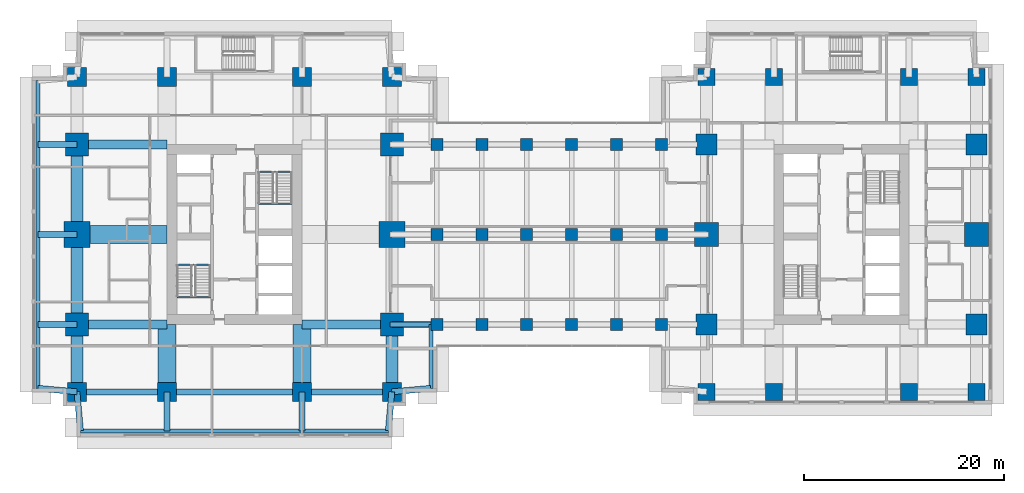
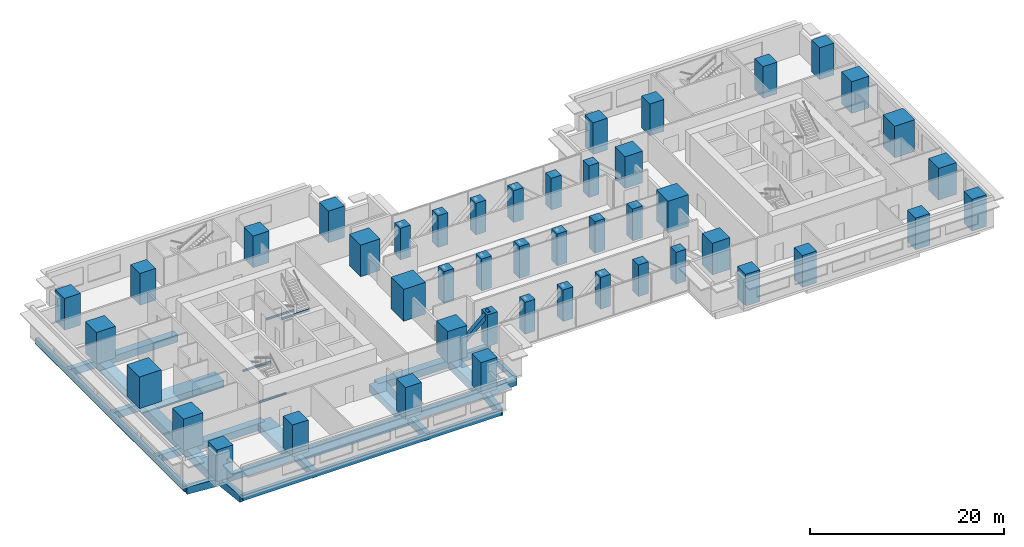
# One storey, part 1 of 16: 46 columns, 30 beams, 1 member.
"""IFC4 building model written with IfcOpenShell, lengths in metres."""

from ifc_helpers import new_model, si_unit, direction, frame, origin, origin_2d, place, context, subcontext, project, spatial, rectangle, hollow_rectangle, i_section, extrude, material, material_profile, profile_set, type_object, element, save


model = new_model("IFC4")

# Units and contexts
model_context = context("Model", 3, precision=1e-05, world=origin(), true_north=direction((0.0, 1.0)))
body_context = subcontext(model_context, "Body", "Model", "MODEL_VIEW")
ifc_project = project(units=[si_unit("LENGTHUNIT", "METRE"), si_unit("AREAUNIT", "SQUARE_METRE"), si_unit("VOLUMEUNIT", "CUBIC_METRE"), si_unit("PLANEANGLEUNIT", "RADIAN"), si_unit("MASSUNIT", "GRAM", prefix="KILO")], contexts=[model_context])

# Site, building, storey
site_placement = place(None, origin())
site = spatial("IfcSite", under=ifc_project, at=site_placement, CompositionType="ELEMENT")
building_placement = place(site_placement, origin())
building = spatial("IfcBuilding", under=site, at=building_placement, Name="Namib Vertical Campus", CompositionType="ELEMENT")
storey_placement = place(building_placement, frame((0.0, 0.0, 125.0)))
storey = spatial("IfcBuildingStorey", under=building, at=storey_placement, Name="L29", CompositionType="ELEMENT", Elevation=125.0)

# Columns
ifc_material_1 = material(Name="Concrete C60/75", Category="concrete")
ifc_material_profile_1 = material_profile(ifc_material_1, rectangle(XDim=1.199951171875, YDim=1.199951171875, at=origin_2d()))
ifc_profile_set_1 = profile_set([ifc_material_profile_1], Name="Concrete C60/75")
column_type_1 = type_object("IfcColumnType", Name="Bridge column RC 1200x1200", PredefinedType="COLUMN", material=ifc_profile_set_1)
for number, where, z_axis, x_axis, name in (
    (1, (40.5, 11.25, 0.0), (0.0, 0.0, 1.0), (1.0, 0.0, 0.0), "Column BC6 L29"),
    (2, (45.0, 11.25, 0.0), (0.0, 0.0, 1.0), (1.0, 0.0, 0.0), "Column BC6 L29"),
    (3, (49.5, 11.25, 0.0), (0.0, 0.0, 1.0), (1.0, 0.0, 0.0), "Column BC6 L29"),
    (4, (54.0, 11.25, 0.0), (0.0, 0.0, 1.0), (1.0, 0.0, 0.0), "Column BC6 L29"),
    (5, (58.5, 11.25, 0.0), (0.0, 0.0, 1.0), (1.0, 0.0, 0.0), "Column BC6 L29"),
    (6, (63.0, 11.25, 0.0), (0.0, 0.0, 1.0), (1.0, 0.0, 0.0), "Column BC6 L29"),
    (7, (40.5, 20.25, 0.0), (0.0, 0.0, 1.0), (1.0, 0.0, 0.0), "Column BC6 L29"),
    (8, (45.0, 20.25, 0.0), (0.0, 0.0, 1.0), (1.0, 0.0, 0.0), "Column BC6 L29"),
    (9, (49.5, 20.25, 0.0), (0.0, 0.0, 1.0), (1.0, 0.0, 0.0), "Column BC6 L29"),
    (10, (54.0, 20.25, 0.0), (0.0, 0.0, 1.0), (1.0, 0.0, 0.0), "Column BC6 L29"),
    (11, (58.5, 20.25, 0.0), (0.0, 0.0, 1.0), (1.0, 0.0, 0.0), "Column BC6 L29"),
    (12, (63.0, 20.25, 0.0), (0.0, 0.0, 1.0), (1.0, 0.0, 0.0), "Column BC6 L29"),
    (13, (40.5, 29.25, 0.0), (0.0, 0.0, 1.0), (1.0, 0.0, 0.0), "Column BC6 L29"),
    (14, (45.0, 29.25, 0.0), (0.0, 0.0, 1.0), (1.0, 0.0, 0.0), "Column BC6 L29"),
    (15, (49.5, 29.25, 0.0), (0.0, 0.0, 1.0), (1.0, 0.0, 0.0), "Column BC6 L29"),
    (16, (54.0, 29.25, 0.0), (0.0, 0.0, 1.0), (1.0, 0.0, 0.0), "Column BC6 L29"),
    (17, (58.5, 29.25, 0.0), (0.0, 0.0, 1.0), (1.0, 0.0, 0.0), "Column BC6 L29"),
    (18, (63.0, 29.25, 0.0), (0.0, 0.0, 1.0), (1.0, 0.0, 0.0), "Column BC6 L29"),
):
    element("IfcColumn", number, at=place(storey_placement, frame(where, z_axis=z_axis, x_axis=x_axis)), inside=storey, type_object=column_type_1, Name=name, PredefinedType="COLUMN", context=body_context, shape_type="SweptSolid", body=[
        extrude(rectangle(XDim=1.199951171875, YDim=1.199951171875, at=origin_2d()), origin(), (0.0, 0.0, 1.0), 4.0),
    ])
ifc_material_2 = material(Name="Concrete C60/75", Category="concrete")
ifc_material_profile_2 = material_profile(ifc_material_2, rectangle(XDim=1.699951171875, YDim=1.699951171875, at=origin_2d()))
ifc_profile_set_2 = profile_set([ifc_material_profile_2], Name="Concrete C60/75")
column_type_2 = type_object("IfcColumnType", Name="Column RC 1700x1700", PredefinedType="COLUMN", material=ifc_profile_set_2)
for number, where, z_axis, x_axis, name in (
    (19, (67.5, 4.5, 0.0), (0.0, 0.0, 1.0), (1.0, 0.0, 0.0), "Column C170 L29"),
    (20, (74.25, 4.5, 0.0), (0.0, 0.0, 1.0), (1.0, 0.0, 0.0), "Column C170 L29"),
    (21, (87.75, 4.5, 0.0), (0.0, 0.0, 1.0), (1.0, 0.0, 0.0), "Column C170 L29"),
    (22, (94.5, 4.5, 0.0), (0.0, 0.0, 1.0), (1.0, 0.0, 0.0), "Column C170 L29"),
    (23, (67.5, 36.0, 0.0), (0.0, 0.0, 1.0), (1.0, 0.0, 0.0), "Column C170 L29"),
    (24, (74.25, 36.0, 0.0), (0.0, 0.0, 1.0), (1.0, 0.0, 0.0), "Column C170 L29"),
    (25, (87.75, 36.0, 0.0), (0.0, 0.0, 1.0), (1.0, 0.0, 0.0), "Column C170 L29"),
    (26, (94.5, 36.0, 0.0), (0.0, 0.0, 1.0), (1.0, 0.0, 0.0), "Column C170 L29"),
):
    element("IfcColumn", number, at=place(storey_placement, frame(where, z_axis=z_axis, x_axis=x_axis)), inside=storey, type_object=column_type_2, Name=name, PredefinedType="COLUMN", context=body_context, shape_type="SweptSolid", body=[
        extrude(rectangle(XDim=1.699951171875, YDim=1.699951171875, at=origin_2d()), origin(), (0.0, 0.0, 1.0), 4.0),
    ])
ifc_material_3 = material(Name="Concrete C60/75", Category="concrete")
ifc_material_profile_3 = material_profile(ifc_material_3, rectangle(XDim=1.89990234375, YDim=1.89990234375, at=origin_2d()))
ifc_profile_set_3 = profile_set([ifc_material_profile_3], Name="Concrete C60/75")
column_type_3 = type_object("IfcColumnType", Name="Column RC 1900x1900", PredefinedType="COLUMN", material=ifc_profile_set_3)
for number, where, z_axis, x_axis, name in (
    (27, (4.5, 4.5, 0.0), (0.0, 0.0, 1.0), (1.0, 0.0, 0.0), "Column C190 L29"),
    (28, (13.5, 4.5, 0.0), (0.0, 0.0, 1.0), (1.0, 0.0, 0.0), "Column C190 L29"),
    (29, (27.0, 4.5, 0.0), (0.0, 0.0, 1.0), (1.0, 0.0, 0.0), "Column C190 L29"),
    (30, (36.0, 4.5, 0.0), (0.0, 0.0, 1.0), (1.0, 0.0, 0.0), "Column C190 L29"),
    (31, (4.5, 36.0, 0.0), (0.0, 0.0, 1.0), (1.0, 0.0, 0.0), "Column C190 L29"),
    (32, (13.5, 36.0, 0.0), (0.0, 0.0, 1.0), (1.0, 0.0, 0.0), "Column C190 L29"),
    (33, (27.0, 36.0, 0.0), (0.0, 0.0, 1.0), (1.0, 0.0, 0.0), "Column C190 L29"),
    (34, (36.0, 36.0, 0.0), (0.0, 0.0, 1.0), (1.0, 0.0, 0.0), "Column C190 L29"),
):
    element("IfcColumn", number, at=place(storey_placement, frame(where, z_axis=z_axis, x_axis=x_axis)), inside=storey, type_object=column_type_3, Name=name, PredefinedType="COLUMN", context=body_context, shape_type="SweptSolid", body=[
        extrude(rectangle(XDim=1.89990234375, YDim=1.89990234375, at=origin_2d()), origin(), (0.0, 0.0, 1.0), 4.0),
    ])
ifc_material_4 = material(Name="Concrete C60/75", Category="concrete")
ifc_material_profile_4 = material_profile(ifc_material_4, rectangle(XDim=2.10009765625, YDim=2.10009765625, at=origin_2d()))
ifc_profile_set_4 = profile_set([ifc_material_profile_4], Name="Concrete C60/75")
column_type_4 = type_object("IfcColumnType", Name="Column RC 2100x2100", PredefinedType="COLUMN", material=ifc_profile_set_4)
for number, where, z_axis, x_axis, name in (
    (35, (67.5, 11.25, 0.0), (0.0, 0.0, 1.0), (1.0, 0.0, 0.0), "Column C210 L29"),
    (36, (94.5, 11.25, 0.0), (0.0, 0.0, 1.0), (1.0, 0.0, 0.0), "Column C210 L29"),
    (37, (67.5, 29.25, 0.0), (0.0, 0.0, 1.0), (1.0, 0.0, 0.0), "Column C210 L29"),
    (38, (94.5, 29.25, 0.0), (0.0, 0.0, 1.0), (1.0, 0.0, 0.0), "Column C210 L29"),
):
    element("IfcColumn", number, at=place(storey_placement, frame(where, z_axis=z_axis, x_axis=x_axis)), inside=storey, type_object=column_type_4, Name=name, PredefinedType="COLUMN", context=body_context, shape_type="SweptSolid", body=[
        extrude(rectangle(XDim=2.10009765625, YDim=2.10009765625, at=origin_2d()), origin(), (0.0, 0.0, 1.0), 4.0),
    ])
ifc_material_5 = material(Name="Concrete C60/75", Category="concrete")
ifc_material_profile_5 = material_profile(ifc_material_5, rectangle(XDim=2.300048828125, YDim=2.300048828125, at=origin_2d()))
ifc_profile_set_5 = profile_set([ifc_material_profile_5], Name="Concrete C60/75")
column_type_5 = type_object("IfcColumnType", Name="Column RC 2300x2300", PredefinedType="COLUMN", material=ifc_profile_set_5)
for number, where, z_axis, x_axis, name in (
    (39, (4.5, 11.25, 0.0), (0.0, 0.0, 1.0), (1.0, 0.0, 0.0), "Column C230 L29"),
    (40, (36.0, 11.25, 0.0), (0.0, 0.0, 1.0), (1.0, 0.0, 0.0), "Column C230 L29"),
    (41, (4.5, 29.25, 0.0), (0.0, 0.0, 1.0), (1.0, 0.0, 0.0), "Column C230 L29"),
    (42, (36.0, 29.25, 0.0), (0.0, 0.0, 1.0), (1.0, 0.0, 0.0), "Column C230 L29"),
):
    element("IfcColumn", number, at=place(storey_placement, frame(where, z_axis=z_axis, x_axis=x_axis)), inside=storey, type_object=column_type_5, Name=name, PredefinedType="COLUMN", context=body_context, shape_type="SweptSolid", body=[
        extrude(rectangle(XDim=2.300048828125, YDim=2.300048828125, at=origin_2d()), origin(), (0.0, 0.0, 1.0), 4.0),
    ])
ifc_material_6 = material(Name="Concrete C60/75", Category="concrete")
ifc_material_profile_6 = material_profile(ifc_material_6, rectangle(XDim=2.39990234375, YDim=2.39990234375, at=origin_2d()))
ifc_profile_set_6 = profile_set([ifc_material_profile_6], Name="Concrete C60/75")
column_type_6 = type_object("IfcColumnType", Name="Column RC 2400x2400", PredefinedType="COLUMN", material=ifc_profile_set_6)
for number, where, z_axis, x_axis, name in (
    (43, (67.5, 20.25, 0.0), (0.0, 0.0, 1.0), (1.0, 0.0, 0.0), "Column C240 L29"),
    (44, (94.5, 20.25, 0.0), (0.0, 0.0, 1.0), (1.0, 0.0, 0.0), "Column C240 L29"),
):
    element("IfcColumn", number, at=place(storey_placement, frame(where, z_axis=z_axis, x_axis=x_axis)), inside=storey, type_object=column_type_6, Name=name, PredefinedType="COLUMN", context=body_context, shape_type="SweptSolid", body=[
        extrude(rectangle(XDim=2.39990234375, YDim=2.39990234375, at=origin_2d()), origin(), (0.0, 0.0, 1.0), 4.0),
    ])
ifc_material_7 = material(Name="Concrete C60/75", Category="concrete")
ifc_material_profile_7 = material_profile(ifc_material_7, rectangle(XDim=2.60009765625, YDim=2.60009765625, at=origin_2d()))
ifc_profile_set_7 = profile_set([ifc_material_profile_7], Name="Concrete C60/75")
column_type_7 = type_object("IfcColumnType", Name="Column RC 2600x2600", PredefinedType="COLUMN", material=ifc_profile_set_7)
for number, where, z_axis, x_axis, name in (
    (45, (4.5, 20.25, 0.0), (0.0, 0.0, 1.0), (1.0, 0.0, 0.0), "Column C260 L29"),
    (46, (36.0, 20.25, 0.0), (0.0, 0.0, 1.0), (1.0, 0.0, 0.0), "Column C260 L29"),
):
    element("IfcColumn", number, at=place(storey_placement, frame(where, z_axis=z_axis, x_axis=x_axis)), inside=storey, type_object=column_type_7, Name=name, PredefinedType="COLUMN", context=body_context, shape_type="SweptSolid", body=[
        extrude(rectangle(XDim=2.60009765625, YDim=2.60009765625, at=origin_2d()), origin(), (0.0, 0.0, 1.0), 4.0),
    ])

# Member
ifc_material_8 = material(Name="Steel S355JR", Category="steel")
ifc_material_profile_8 = material_profile(ifc_material_8, hollow_rectangle(XDim=0.5, YDim=0.5, WallThickness=0.031982421875, at=origin_2d()))
ifc_profile_set_8 = profile_set([ifc_material_profile_8], Name="Steel S355JR")
member_type = type_object("IfcMemberType", Name="Bridge end brace WB 500x500x32", PredefinedType="BRACE", material=ifc_profile_set_8)
member_placement = place(storey_placement, frame((36.0, 11.25, 0.0), z_axis=(0.747409318684, 0.0, 0.66436383883), x_axis=(0.0, 1.0, 0.0)))
element("IfcMember", 47, at=member_placement, inside=storey, type_object=member_type, Name="Bridge brace BX1 L29 T1 bay 1", PredefinedType="BRACE", context=body_context, shape_type="SweptSolid", body=[
    extrude(hollow_rectangle(XDim=0.5, YDim=0.5, WallThickness=0.031982421875, at=origin_2d()), origin(), (0.0, 0.0, 1.0), 6.020751953125),
])

# Beams
ifc_material_9 = material(Name="Steel S355JR", Category="steel")
ifc_material_profile_9 = material_profile(ifc_material_9, hollow_rectangle(XDim=0.60009765625, YDim=0.89990234375, WallThickness=0.050048828125, at=origin_2d()))
ifc_profile_set_9 = profile_set([ifc_material_profile_9], Name="Steel S355JR")
beam_type_1 = type_object("IfcBeamType", Name="Bridge girder WB 900x600x50", PredefinedType="BEAM", material=ifc_profile_set_9)
beam_1_placement = place(storey_placement, frame((36.0, 11.25, -0.699951171875), z_axis=(1.0, 0.0, 0.0), x_axis=(0.0, 1.0, 0.0)))
element("IfcBeam", 48, at=beam_1_placement, inside=storey, type_object=beam_type_1, Name="Bridge girder BG1 L29", PredefinedType="BEAM", context=body_context, shape_type="SweptSolid", body=[
    extrude(hollow_rectangle(XDim=0.60009765625, YDim=0.89990234375, WallThickness=0.050048828125, at=origin_2d()), origin(), (0.0, 0.0, 1.0), 4.5),
])
ifc_material_10 = material(Name="Concrete C40/50", Category="concrete")
ifc_material_profile_10 = material_profile(ifc_material_10, rectangle(XDim=0.60009765625, YDim=0.89990234375, at=origin_2d()))
ifc_profile_set_10 = profile_set([ifc_material_profile_10], Name="Concrete C40/50")
beam_type_2 = type_object("IfcBeamType", Name="Cantilever girder RC 600x900", PredefinedType="BEAM", material=ifc_profile_set_10)
beam_2_placement = place(storey_placement, frame((4.5, 4.5, -0.699951171875), z_axis=(0.089411326146, -0.995994786511, 0.0), x_axis=(0.995994786511, 0.089411326146, 0.0)))
element("IfcBeam", 49, at=beam_2_placement, inside=storey, type_object=beam_type_2, Name="Beam B3 L29", PredefinedType="BEAM", context=body_context, shape_type="SweptSolid", body=[
    extrude(rectangle(XDim=0.60009765625, YDim=0.89990234375, at=origin_2d()), origin(), (0.0, 0.0, 1.0), 3.91552734375),
])
for number, where, z_axis, x_axis, name in (
    (50, (13.5, 4.5, -0.699951171875), (0.0, -1.0, 0.0), (1.0, 0.0, 0.0), "Beam B3 L29"),
    (51, (27.0, 4.5, -0.699951171875), (0.0, -1.0, 0.0), (1.0, 0.0, 0.0), "Beam B3 L29"),
):
    element("IfcBeam", number, at=place(storey_placement, frame(where, z_axis=z_axis, x_axis=x_axis)), inside=storey, type_object=beam_type_2, Name=name, PredefinedType="BEAM", context=body_context, shape_type="SweptSolid", body=[
        extrude(rectangle(XDim=0.60009765625, YDim=0.89990234375, at=origin_2d()), origin(), (0.0, 0.0, 1.0), 3.89990234375),
    ])
for number, where, z_axis, x_axis, name in (
    (52, (36.0, 4.5, -0.699951171875), (-0.089411326146, -0.995994786511, 0.0), (0.995994786511, -0.089411326146, 0.0), "Beam B3 L29"),
    (53, (4.5, 4.5, -0.699951171875), (-0.995994786511, 0.089411326146, 0.0), (-0.089411326146, -0.995994786511, 0.0), "Beam B3 L29"),
):
    element("IfcBeam", number, at=place(storey_placement, frame(where, z_axis=z_axis, x_axis=x_axis)), inside=storey, type_object=beam_type_2, Name=name, PredefinedType="BEAM", context=body_context, shape_type="SweptSolid", body=[
        extrude(rectangle(XDim=0.60009765625, YDim=0.89990234375, at=origin_2d()), origin(), (0.0, 0.0, 1.0), 3.91552734375),
    ])
for number, where, z_axis, x_axis, name in (
    (54, (4.5, 11.25, -0.699951171875), (-1.0, 0.0, 0.0), (0.0, -1.0, 0.0), "Beam B3 L29"),
    (55, (4.5, 20.25, -0.699951171875), (-1.0, 0.0, 0.0), (0.0, -1.0, 0.0), "Beam B3 L29"),
    (56, (4.5, 29.25, -0.699951171875), (-1.0, 0.0, 0.0), (0.0, -1.0, 0.0), "Beam B3 L29"),
):
    element("IfcBeam", number, at=place(storey_placement, frame(where, z_axis=z_axis, x_axis=x_axis)), inside=storey, type_object=beam_type_2, Name=name, PredefinedType="BEAM", context=body_context, shape_type="SweptSolid", body=[
        extrude(rectangle(XDim=0.60009765625, YDim=0.89990234375, at=origin_2d()), origin(), (0.0, 0.0, 1.0), 3.89990234375),
    ])
beam_3_placement = place(storey_placement, frame((36.0, 4.5, -0.699951171875), z_axis=(0.995994786511, 0.089411326146, 0.0), x_axis=(-0.089411326146, 0.995994786511, 0.0)))
element("IfcBeam", 57, at=beam_3_placement, inside=storey, type_object=beam_type_2, Name="Beam B3 L29", PredefinedType="BEAM", context=body_context, shape_type="SweptSolid", body=[
    extrude(rectangle(XDim=0.60009765625, YDim=0.89990234375, at=origin_2d()), origin(), (0.0, 0.0, 1.0), 3.91552734375),
])
ifc_material_11 = material(Name="Concrete C40/50", Category="concrete")
ifc_material_profile_11 = material_profile(ifc_material_11, rectangle(XDim=0.39990234375, YDim=0.699951171875, at=origin_2d()))
ifc_profile_set_11 = profile_set([ifc_material_profile_11], Name="Concrete C40/50")
beam_type_3 = type_object("IfcBeamType", Name="Edge beam RC 400x700", PredefinedType="SPANDREL", material=ifc_profile_set_11)
for number, where, z_axis, x_axis, name in (
    (58, (4.85009765625, 0.60009765625, -0.60009765625), (1.0, 0.0, 0.0), (0.0, 1.0, 0.0), "Beam B4 L29"),
    (59, (0.60009765625, 4.85009765625, -0.60009765625), (0.0, 1.0, 0.0), (-1.0, 0.0, 0.0), "Beam B4 L29"),
):
    element("IfcBeam", number, at=place(storey_placement, frame(where, z_axis=z_axis, x_axis=x_axis)), inside=storey, type_object=beam_type_3, Name=name, PredefinedType="SPANDREL", context=body_context, shape_type="SweptSolid", body=[
        extrude(rectangle(XDim=0.39990234375, YDim=0.699951171875, at=origin_2d()), origin(), (0.0, 0.0, 1.0), 30.7998046875),
    ])
beam_4_placement = place(storey_placement, frame((39.89990234375, 4.85009765625, -0.60009765625), z_axis=(0.0, 1.0, 0.0), x_axis=(-1.0, 0.0, 0.0)))
element("IfcBeam", 60, at=beam_4_placement, inside=storey, type_object=beam_type_3, Name="Beam B4 L29", PredefinedType="SPANDREL", context=body_context, shape_type="SweptSolid", body=[
    extrude(rectangle(XDim=0.39990234375, YDim=0.699951171875, at=origin_2d()), origin(), (0.0, 0.0, 1.0), 6.39990234375),
])
ifc_material_12 = material(Name="Concrete C40/50", Category="concrete")
ifc_material_profile_12 = material_profile(ifc_material_12, rectangle(XDim=0.89990234375, YDim=0.89990234375, at=origin_2d()))
ifc_profile_set_12 = profile_set([ifc_material_profile_12], Name="Concrete C40/50")
beam_type_4 = type_object("IfcBeamType", Name="Face girder RC 900x900", PredefinedType="BEAM", material=ifc_profile_set_12)
for number, where, z_axis, x_axis, name in (
    (61, (4.5, 11.25, -0.699951171875), (1.0, 0.0, 0.0), (0.0, 1.0, 0.0), "Beam B10 L29"),
    (62, (36.0, 11.25, -0.699951171875), (-1.0, 0.0, 0.0), (0.0, -1.0, 0.0), "Beam B10 L29"),
    (63, (4.5, 29.25, -0.699951171875), (1.0, 0.0, 0.0), (0.0, 1.0, 0.0), "Beam B10 L29"),
):
    element("IfcBeam", number, at=place(storey_placement, frame(where, z_axis=z_axis, x_axis=x_axis)), inside=storey, type_object=beam_type_4, Name=name, PredefinedType="BEAM", context=body_context, shape_type="SweptSolid", body=[
        extrude(rectangle(XDim=0.89990234375, YDim=0.89990234375, at=origin_2d()), origin(), (0.0, 0.0, 1.0), 9.0),
    ])
ifc_material_13 = material(Name="Concrete C40/50", Category="concrete")
ifc_material_profile_13 = material_profile(ifc_material_13, rectangle(XDim=1.199951171875, YDim=1.10009765625, at=origin_2d()))
ifc_profile_set_13 = profile_set([ifc_material_profile_13], Name="Concrete C40/50")
beam_type_5 = type_object("IfcBeamType", Name="Face ring beam RC 1200x1100", PredefinedType="BEAM", material=ifc_profile_set_13)
beam_5_placement = place(storey_placement, frame((4.5, 4.5, -0.800048828125), z_axis=(0.0, 1.0, 0.0), x_axis=(-1.0, 0.0, 0.0)))
element("IfcBeam", 64, at=beam_5_placement, inside=storey, type_object=beam_type_5, Name="Beam B11 L29", PredefinedType="BEAM", context=body_context, shape_type="SweptSolid", body=[
    extrude(rectangle(XDim=1.199951171875, YDim=1.10009765625, at=origin_2d()), origin(), (0.0, 0.0, 1.0), 6.75),
])
for number, where, z_axis, x_axis, name in (
    (65, (4.5, 11.25, -0.800048828125), (0.0, 1.0, 0.0), (-1.0, 0.0, 0.0), "Beam B11 L29"),
    (66, (4.5, 20.25, -0.800048828125), (0.0, 1.0, 0.0), (-1.0, 0.0, 0.0), "Beam B11 L29"),
):
    element("IfcBeam", number, at=place(storey_placement, frame(where, z_axis=z_axis, x_axis=x_axis)), inside=storey, type_object=beam_type_5, Name=name, PredefinedType="BEAM", context=body_context, shape_type="SweptSolid", body=[
        extrude(rectangle(XDim=1.199951171875, YDim=1.10009765625, at=origin_2d()), origin(), (0.0, 0.0, 1.0), 9.0),
    ])
beam_6_placement = place(storey_placement, frame((36.0, 4.5, -0.800048828125), z_axis=(0.0, 1.0, 0.0), x_axis=(-1.0, 0.0, 0.0)))
element("IfcBeam", 67, at=beam_6_placement, inside=storey, type_object=beam_type_5, Name="Beam B11 L29", PredefinedType="BEAM", context=body_context, shape_type="SweptSolid", body=[
    extrude(rectangle(XDim=1.199951171875, YDim=1.10009765625, at=origin_2d()), origin(), (0.0, 0.0, 1.0), 6.75),
])
ifc_material_14 = material(Name="Steel S355JR", Category="steel")
ifc_material_profile_14 = material_profile(ifc_material_14, i_section(OverallWidth=0.14599609375, OverallDepth=0.25146484375, WebThickness=0.006103515625, FlangeThickness=0.008544921875, FilletRadius=0.007568359375, at=origin_2d()))
ifc_profile_set_14 = profile_set([ifc_material_profile_14], Name="Steel S355JR")
beam_type_6 = type_object("IfcBeamType", Name="Landing trimmer UB 254x146x31", PredefinedType="BEAM", material=ifc_profile_set_14)
for number, where, z_axis, x_axis, name in (
    (68, (14.5, 13.97705078125, -0.125732421875), (1.0, 0.0, 0.0), (0.0, 1.0, 0.0), "Landing trimmer LT1 A-S1 L29 1"),
    (69, (14.5, 17.203125, 1.874267578125), (1.0, 0.0, 0.0), (0.0, 1.0, 0.0), "Landing trimmer LT1 A-S1 L29 2"),
    (70, (22.64990234375, 26.52294921875, -0.125732421875), (1.0, 0.0, 0.0), (0.0, 1.0, 0.0), "Landing trimmer LT1 A-S2 L29 1"),
    (71, (22.64990234375, 23.296875, 1.874267578125), (1.0, 0.0, 0.0), (0.0, 1.0, 0.0), "Landing trimmer LT1 A-S2 L29 2"),
):
    element("IfcBeam", number, at=place(storey_placement, frame(where, z_axis=z_axis, x_axis=x_axis)), inside=storey, type_object=beam_type_6, Name=name, PredefinedType="BEAM", context=body_context, shape_type="SweptSolid", body=[
        extrude(i_section(OverallWidth=0.14599609375, OverallDepth=0.25146484375, WebThickness=0.006103515625, FlangeThickness=0.008544921875, FilletRadius=0.007568359375, at=origin_2d()), origin(), (0.0, 0.0, 1.0), 3.35009765625),
    ])
ifc_material_15 = material(Name="Concrete C40/50", Category="concrete")
ifc_material_profile_15 = material_profile(ifc_material_15, rectangle(XDim=0.60009765625, YDim=1.199951171875, at=origin_2d()))
ifc_profile_set_15 = profile_set([ifc_material_profile_15], Name="Concrete C40/50")
beam_type_7 = type_object("IfcBeamType", Name="Long-span ring beam RC 600x1200", PredefinedType="BEAM", material=ifc_profile_set_15)
beam_7_placement = place(storey_placement, frame((13.5, 4.5, -0.85009765625), z_axis=(1.0, 0.0, 0.0), x_axis=(0.0, 1.0, 0.0)))
element("IfcBeam", 72, at=beam_7_placement, inside=storey, type_object=beam_type_7, Name="Beam B9 L29", PredefinedType="BEAM", context=body_context, shape_type="SweptSolid", body=[
    extrude(rectangle(XDim=0.60009765625, YDim=1.199951171875, at=origin_2d()), origin(), (0.0, 0.0, 1.0), 13.5),
])
ifc_material_16 = material(Name="Concrete C40/50", Category="concrete")
ifc_material_profile_16 = material_profile(ifc_material_16, rectangle(XDim=1.800048828125, YDim=0.89990234375, at=origin_2d()))
ifc_profile_set_16 = profile_set([ifc_material_profile_16], Name="Concrete C40/50")
beam_type_8 = type_object("IfcBeamType", Name="Outrigger line girder RC 1800x900", PredefinedType="BEAM", material=ifc_profile_set_16)
for number, where, z_axis, x_axis, name in (
    (73, (13.5, 4.5, -0.699951171875), (0.0, 1.0, 0.0), (-1.0, 0.0, 0.0), "Beam B12 L29"),
    (74, (27.0, 4.5, -0.699951171875), (0.0, 1.0, 0.0), (-1.0, 0.0, 0.0), "Beam B12 L29"),
):
    element("IfcBeam", number, at=place(storey_placement, frame(where, z_axis=z_axis, x_axis=x_axis)), inside=storey, type_object=beam_type_8, Name=name, PredefinedType="BEAM", context=body_context, shape_type="SweptSolid", body=[
        extrude(rectangle(XDim=1.800048828125, YDim=0.89990234375, at=origin_2d()), origin(), (0.0, 0.0, 1.0), 6.75),
    ])
beam_8_placement = place(storey_placement, frame((4.5, 20.25, -0.699951171875), z_axis=(1.0, 0.0, 0.0), x_axis=(0.0, 1.0, 0.0)))
element("IfcBeam", 75, at=beam_8_placement, inside=storey, type_object=beam_type_8, Name="Beam B12 L29", PredefinedType="BEAM", context=body_context, shape_type="SweptSolid", body=[
    extrude(rectangle(XDim=1.800048828125, YDim=0.89990234375, at=origin_2d()), origin(), (0.0, 0.0, 1.0), 9.0),
])
ifc_material_17 = material(Name="Concrete C40/50", Category="concrete")
ifc_material_profile_17 = material_profile(ifc_material_17, rectangle(XDim=0.60009765625, YDim=0.800048828125, at=origin_2d()))
ifc_profile_set_17 = profile_set([ifc_material_profile_17], Name="Concrete C40/50")
beam_type_9 = type_object("IfcBeamType", Name="Ring beam RC 600x800", PredefinedType="BEAM", material=ifc_profile_set_17)
for number, where, z_axis, x_axis, name in (
    (76, (4.5, 4.5, -0.64990234375), (1.0, 0.0, 0.0), (0.0, 1.0, 0.0), "Beam B1 L29"),
    (77, (27.0, 4.5, -0.64990234375), (1.0, 0.0, 0.0), (0.0, 1.0, 0.0), "Beam B1 L29"),
):
    element("IfcBeam", number, at=place(storey_placement, frame(where, z_axis=z_axis, x_axis=x_axis)), inside=storey, type_object=beam_type_9, Name=name, PredefinedType="BEAM", context=body_context, shape_type="SweptSolid", body=[
        extrude(rectangle(XDim=0.60009765625, YDim=0.800048828125, at=origin_2d()), origin(), (0.0, 0.0, 1.0), 9.0),
    ])

save(model, "model.ifc")
